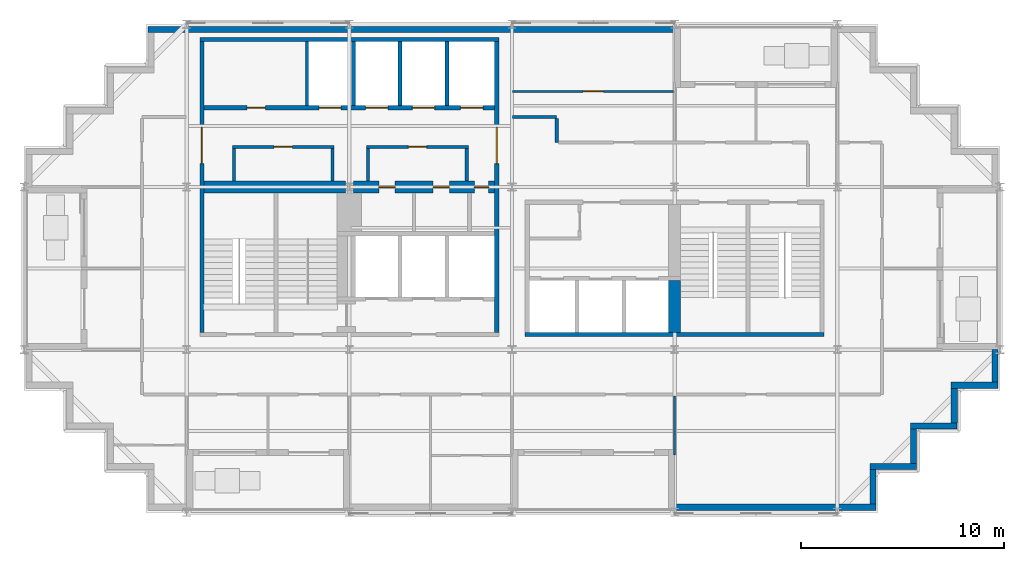
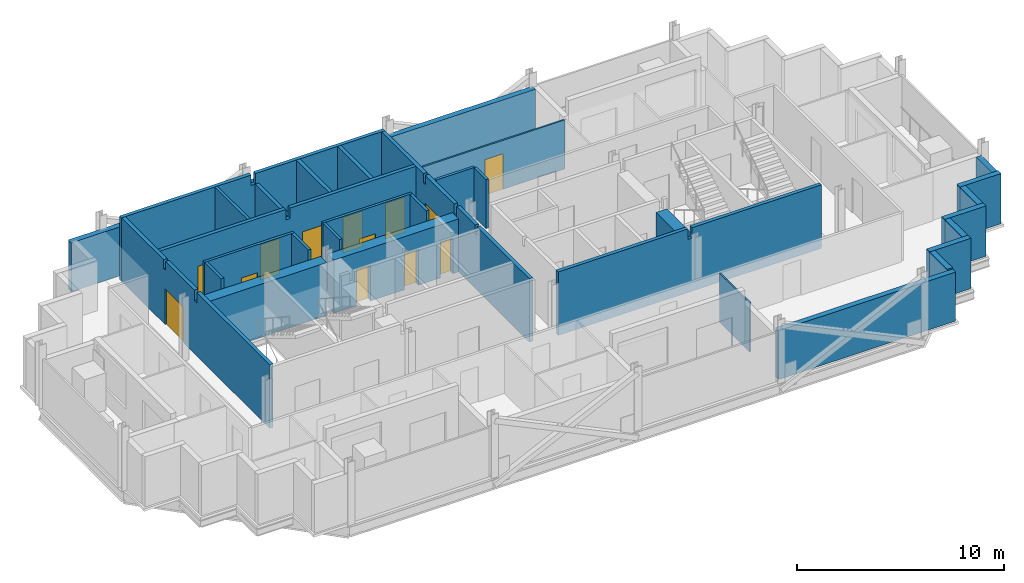
# One storey, part 6 of 10: 31 walls, 13 doors, 13 openings.
"""IFC4 building model written with IfcOpenShell, lengths in metres."""

from ifc_helpers import new_model, si_unit, direction, frame, frame_2d, origin, place, context, subcontext, project, spatial, polyline, rectangle, outline, extrude, material, layer, layer_set, type_object, element, fill, save


model = new_model("IFC4")

# Units and contexts
model_context = context("Model", 3, precision=1e-05, world=origin(), true_north=direction((0.0, 1.0)))
body_context = subcontext(model_context, "Body", "Model", "MODEL_VIEW")
ifc_project = project(units=[si_unit("LENGTHUNIT", "METRE"), si_unit("AREAUNIT", "SQUARE_METRE"), si_unit("VOLUMEUNIT", "CUBIC_METRE"), si_unit("PLANEANGLEUNIT", "RADIAN"), si_unit("MASSUNIT", "GRAM", prefix="KILO")], contexts=[model_context])

# Site, building, storey
site_placement = place(None, origin())
site = spatial("IfcSite", under=ifc_project, at=site_placement, CompositionType="ELEMENT")
building_placement = place(site_placement, origin())
building = spatial("IfcBuilding", under=site, at=building_placement, Name="Immortelle Media Tower", CompositionType="ELEMENT")
storey_placement = place(building_placement, frame((0.0, 0.0, 237.0)))
storey = spatial("IfcBuildingStorey", under=building, at=storey_placement, Name="L51", CompositionType="ELEMENT", Elevation=237.0)

# Wall, openings, doors
ifc_material_1 = material(Name="Fire-rated masonry blockwork", Category="masonry")
ifc_layer_1 = layer(ifc_material_1, 0.60009765625)
ifc_layer_set_1 = layer_set([ifc_layer_1], Name="Fire-rated masonry blockwork")
wall_type_1 = type_object("IfcWallType", Name="Core grid-line wall 600", PredefinedType="PARTITIONING", material=ifc_layer_set_1)
wall_1_placement = place(storey_placement, frame((16.196533203125, 16.0, 0.0), z_axis=(0.0, 0.0, 1.0), x_axis=(1.0, 0.0, 0.0)))
wall_1 = element("IfcWall", 1, at=wall_1_placement, inside=storey, type_object=wall_type_1, Name="Core grid-line wall SW", PredefinedType="PARTITIONING", context=body_context, shape_type="SweptSolid", body=[
    extrude(rectangle(XDim=6.953369140625, YDim=0.60009765625, at=frame_2d((3.4765625, 0.0))), origin(), (0.0, 0.0, 1.0), 3.132080078125),
])
opening_1_placement = place(wall_1_placement, frame((1.25341796875, 0.0, 0.0)))
opening_1 = element("IfcOpeningElement", 2, at=opening_1_placement, cuts=wall_1, Name="Opening O6-K010", PredefinedType="OPENING", context=body_context, shape_type="SweptSolid", body=[
    extrude(rectangle(XDim=0.800048828125, YDim=2.10009765625, at=frame_2d((0.39990234375, 1.050048828125))), frame((0.0, 0.31005859375, 0.0), z_axis=(0.0, -1.0, 0.0), x_axis=(1.0, 0.0, 0.0)), (0.0, 0.0, 1.0), 0.6201171875),
])
opening_2_placement = place(wall_1_placement, frame((3.928466796875, 0.0, 0.0)))
opening_2 = element("IfcOpeningElement", 3, at=opening_2_placement, cuts=wall_1, Name="Opening O6-K015", PredefinedType="OPENING", context=body_context, shape_type="SweptSolid", body=[
    extrude(rectangle(XDim=0.800048828125, YDim=2.10009765625, at=frame_2d((0.39990234375, 1.050048828125))), frame((0.0, 0.31005859375, 0.0), z_axis=(0.0, -1.0, 0.0), x_axis=(1.0, 0.0, 0.0)), (0.0, 0.0, 1.0), 0.6201171875),
])
opening_3_placement = place(wall_1_placement, frame((6.653564453125, 0.0, 0.0), z_axis=(0.0, 0.0, 1.0), x_axis=(-1.0, 0.0, 0.0)))
opening_3 = element("IfcOpeningElement", 4, at=opening_3_placement, cuts=wall_1, Name="Opening O6-K018", PredefinedType="OPENING", context=body_context, shape_type="SweptSolid", body=[
    extrude(rectangle(XDim=0.699951171875, YDim=2.10009765625, at=frame_2d((0.35009765625, 1.050048828125))), frame((0.0, 0.31005859375, 0.0), z_axis=(0.0, -1.0, 0.0), x_axis=(1.0, 0.0, 0.0)), (0.0, 0.0, 1.0), 0.6201171875),
])
ifc_material_2 = material(Name="Galvanised steel door leaf and frame ASTM A653", Category="steel")
door_type_1 = type_object("IfcDoorType", Name="Service door 700 x 2100", OperationType="NOTDEFINED", PredefinedType="NOTDEFINED", material=ifc_material_2)
door_1_placement = place(opening_3_placement, origin())
door_1 = element("IfcDoor", 5, at=door_1_placement, inside=storey, type_object=door_type_1, Name="Service O6-K018", OperationType="SINGLE_SWING_RIGHT", OverallHeight=2.10009765625, OverallWidth=0.699951171875, PredefinedType="NOTDEFINED", context=body_context, shape_type="SweptSolid", body=[
    extrude(rectangle(XDim=0.699951171875, YDim=2.10009765625, at=frame_2d((0.35009765625, 1.050048828125))), frame((0.0, 0.02490234375, 0.0), z_axis=(0.0, -1.0, 0.0), x_axis=(1.0, 0.0, 0.0)), (0.0, 0.0, 1.0), 0.050048828125),
])
fill(opening_3, door_1)
ifc_material_3 = material(Name="Timber", Category="wood")
door_type_2 = type_object("IfcDoorType", Name="Toilet door 800 x 2100", OperationType="NOTDEFINED", PredefinedType="NOTDEFINED", material=ifc_material_3)
door_2_placement = place(opening_1_placement, origin())
door_2 = element("IfcDoor", 6, at=door_2_placement, inside=storey, type_object=door_type_2, Name="Toilet O6-K010", OperationType="SINGLE_SWING_LEFT", OverallHeight=2.10009765625, OverallWidth=0.800048828125, PredefinedType="NOTDEFINED", context=body_context, shape_type="SweptSolid", body=[
    extrude(rectangle(XDim=0.800048828125, YDim=2.10009765625, at=frame_2d((0.39990234375, 1.050048828125))), frame((0.0, 0.02490234375, 0.0), z_axis=(0.0, -1.0, 0.0), x_axis=(1.0, 0.0, 0.0)), (0.0, 0.0, 1.0), 0.050048828125),
])
fill(opening_1, door_2)
door_3_placement = place(opening_2_placement, origin())
door_3 = element("IfcDoor", 7, at=door_3_placement, inside=storey, type_object=door_type_2, Name="Toilet O6-K015", OperationType="SINGLE_SWING_RIGHT", OverallHeight=2.10009765625, OverallWidth=0.800048828125, PredefinedType="NOTDEFINED", context=body_context, shape_type="SweptSolid", body=[
    extrude(rectangle(XDim=0.800048828125, YDim=2.10009765625, at=frame_2d((0.39990234375, 1.050048828125))), frame((0.0, 0.02490234375, 0.0), z_axis=(0.0, -1.0, 0.0), x_axis=(1.0, 0.0, 0.0)), (0.0, 0.0, 1.0), 0.050048828125),
])
fill(opening_2, door_3)

# Wall
ifc_material_4 = material(Name="Fire-rated gypsum board", Category="gypsum")
ifc_layer_2 = layer(ifc_material_4, 0.02490234375)
ifc_material_5 = material(Name="Steel ASTM A653 SS Gr 50 stud frame with mineral wool", Category="steel")
ifc_layer_3 = layer(ifc_material_5, 0.10009765625)
ifc_layer_4 = layer(ifc_material_4, 0.02490234375)
ifc_layer_set_2 = layer_set([ifc_layer_2, ifc_layer_3, ifc_layer_4], Name="Steel ASTM A653 SS Gr 50 stud frame with mineral wool")
wall_type_2 = type_object("IfcWallType", Name="Core partition 150", PredefinedType="PARTITIONING", material=ifc_layer_set_2)
wall_2_placement = place(storey_placement, frame((10.324951171875, 16.300048828125, 0.0), z_axis=(0.0, 0.0, 1.0), x_axis=(0.0, 1.0, 0.0)))
element("IfcWall", 8, at=wall_2_placement, inside=storey, type_object=wall_type_2, Name="Core partition SW", PredefinedType="PARTITIONING", context=body_context, shape_type="SweptSolid", body=[
    extrude(rectangle(XDim=1.599853515625, YDim=0.14990234375, at=frame_2d((0.7998046875, 0.0))), origin(), (0.0, 0.0, 1.0), 3.75),
])

# Wall, opening, door
wall_3_placement = place(storey_placement, frame((10.25, 17.97509765625, 0.0), z_axis=(0.0, 0.0, 1.0), x_axis=(1.0, 0.0, 0.0)))
wall_3 = element("IfcWall", 9, at=wall_3_placement, inside=storey, type_object=wall_type_2, Name="Core partition SW", PredefinedType="PARTITIONING", context=body_context, shape_type="SweptSolid", body=[
    extrude(rectangle(XDim=5.0, YDim=0.14990234375, at=frame_2d((2.5, 0.0))), origin(), (0.0, 0.0, 1.0), 3.75),
])
opening_4_placement = place(wall_3_placement, frame((2.949951171875, 0.0, 0.0), z_axis=(0.0, 0.0, 1.0), x_axis=(-1.0, 0.0, 0.0)))
opening_4 = element("IfcOpeningElement", 10, at=opening_4_placement, cuts=wall_3, Name="Opening O6-K004", PredefinedType="OPENING", context=body_context, shape_type="SweptSolid", body=[
    extrude(rectangle(XDim=0.89990234375, YDim=2.10009765625, at=frame_2d((0.449951171875, 1.050048828125))), frame((0.0, 0.0849609375, 0.0), z_axis=(0.0, -1.0, 0.0), x_axis=(1.0, 0.0, 0.0)), (0.0, 0.0, 1.0), 0.169921875),
])
door_type_3 = type_object("IfcDoorType", Name="Room door 900 x 2100", OperationType="NOTDEFINED", PredefinedType="NOTDEFINED", material=ifc_material_3)
door_4_placement = place(opening_4_placement, origin())
door_4 = element("IfcDoor", 11, at=door_4_placement, inside=storey, type_object=door_type_3, Name="Room O6-K004", OperationType="SINGLE_SWING_LEFT", OverallHeight=2.10009765625, OverallWidth=0.89990234375, PredefinedType="NOTDEFINED", context=body_context, shape_type="SweptSolid", body=[
    extrude(rectangle(XDim=0.89990234375, YDim=2.10009765625, at=frame_2d((0.449951171875, 1.050048828125))), frame((0.0, 0.02490234375, 0.0), z_axis=(0.0, -1.0, 0.0), x_axis=(1.0, 0.0, 0.0)), (0.0, 0.0, 1.0), 0.050048828125),
])
fill(opening_4, door_4)

# Walls
wall_4_placement = place(storey_placement, frame((13.925048828125, 20.0, 0.0), z_axis=(0.0, 0.0, 1.0), x_axis=(0.0, 1.0, 0.0)))
element("IfcWall", 12, at=wall_4_placement, inside=storey, type_object=wall_type_2, Name="Core partition SW", PredefinedType="PARTITIONING", context=body_context, shape_type="SweptSolid", body=[
    extrude(rectangle(XDim=3.14990234375, YDim=0.14990234375, at=frame_2d((1.574951171875, 0.0))), origin(), (0.0, 0.0, 1.0), 3.75),
])
for number, where, z_axis, x_axis, name in (
    (13, (15.175048828125, 16.300048828125, 0.0), (0.0, 0.0, 1.0), (0.0, 1.0, 0.0), "Core partition SW"),
    (14, (16.925048828125, 16.300048828125, 0.0), (0.0, 0.0, 1.0), (0.0, 1.0, 0.0), "Core partition SW"),
):
    element("IfcWall", number, at=place(storey_placement, frame(where, z_axis=z_axis, x_axis=x_axis)), inside=storey, type_object=wall_type_2, Name=name, PredefinedType="PARTITIONING", context=body_context, shape_type="SweptSolid", body=[
        extrude(rectangle(XDim=1.599853515625, YDim=0.14990234375, at=frame_2d((0.7998046875, 0.0))), origin(), (0.0, 0.0, 1.0), 3.75),
    ])

# Wall, opening, door
wall_5_placement = place(storey_placement, frame((16.85009765625, 17.97509765625, 0.0), z_axis=(0.0, 0.0, 1.0), x_axis=(1.0, 0.0, 0.0)))
wall_5 = element("IfcWall", 15, at=wall_5_placement, inside=storey, type_object=wall_type_2, Name="Core partition SW", PredefinedType="PARTITIONING", context=body_context, shape_type="SweptSolid", body=[
    extrude(rectangle(XDim=5.0, YDim=0.14990234375, at=frame_2d((2.5, 0.0))), origin(), (0.0, 0.0, 1.0), 3.75),
])
opening_5_placement = place(wall_5_placement, frame((2.949951171875, 0.0, 0.0), z_axis=(0.0, 0.0, 1.0), x_axis=(-1.0, 0.0, 0.0)))
opening_5 = element("IfcOpeningElement", 16, at=opening_5_placement, cuts=wall_5, Name="Opening O6-K011", PredefinedType="OPENING", context=body_context, shape_type="SweptSolid", body=[
    extrude(rectangle(XDim=0.89990234375, YDim=2.10009765625, at=frame_2d((0.449951171875, 1.050048828125))), frame((0.0, 0.0849609375, 0.0), z_axis=(0.0, -1.0, 0.0), x_axis=(1.0, 0.0, 0.0)), (0.0, 0.0, 1.0), 0.169921875),
])
door_5_placement = place(opening_5_placement, origin())
door_5 = element("IfcDoor", 17, at=door_5_placement, inside=storey, type_object=door_type_3, Name="Room O6-K011", OperationType="SINGLE_SWING_RIGHT", OverallHeight=2.10009765625, OverallWidth=0.89990234375, PredefinedType="NOTDEFINED", context=body_context, shape_type="SweptSolid", body=[
    extrude(rectangle(XDim=0.89990234375, YDim=2.10009765625, at=frame_2d((0.449951171875, 1.050048828125))), frame((0.0, 0.02490234375, 0.0), z_axis=(0.0, -1.0, 0.0), x_axis=(1.0, 0.0, 0.0)), (0.0, 0.0, 1.0), 0.050048828125),
])
fill(opening_5, door_5)

# Walls
wall_6_placement = place(storey_placement, frame((21.77490234375, 16.300048828125, 0.0), z_axis=(0.0, 0.0, 1.0), x_axis=(0.0, 1.0, 0.0)))
element("IfcWall", 18, at=wall_6_placement, inside=storey, type_object=wall_type_2, Name="Core partition SW", PredefinedType="PARTITIONING", context=body_context, shape_type="SweptSolid", body=[
    extrude(rectangle(XDim=1.599853515625, YDim=0.14990234375, at=frame_2d((0.7998046875, 0.0))), origin(), (0.0, 0.0, 1.0), 3.75),
])
ifc_layer_5 = layer(ifc_material_4, 0.03759765625)
ifc_layer_6 = layer(ifc_material_5, 0.125)
ifc_layer_7 = layer(ifc_material_4, 0.03759765625)
ifc_layer_set_3 = layer_set([ifc_layer_5, ifc_layer_6, ifc_layer_7], Name="Steel ASTM A653 SS Gr 50 stud frame with mineral wool")
wall_type_3 = type_object("IfcWallType", Name="Core shaft wall 200", PredefinedType="PARTITIONING", material=ifc_layer_set_3)
wall_7_placement = place(storey_placement, frame((8.64990234375, 23.25, 0.0), z_axis=(0.0, 0.0, 1.0), x_axis=(1.0, 0.0, 0.0)))
element("IfcWall", 19, at=wall_7_placement, inside=storey, type_object=wall_type_3, Name="Core shaft wall SW", PredefinedType="PARTITIONING", context=body_context, shape_type="SweptSolid", body=[
    extrude(outline(polyline([(0.0, 0.0), (14.7001953125, 0.0), (14.699951171875, 3.75), (7.469482421875, 3.75), (7.468505859375, 3.132080078125), (7.2314453125, 3.132080078125), (7.23046875, 3.75), (0.0, 3.75), (0.0, 0.0)])), frame((0.0, 0.10009765625, 0.0), z_axis=(0.0, -1.0, 0.0), x_axis=(1.0, 0.0, 0.0)), (0.0, 0.0, 1.0), 0.199951171875),
])

# Wall, openings, doors
wall_8_placement = place(storey_placement, frame((8.85009765625, 19.89990234375, 0.0), z_axis=(0.0, 0.0, 1.0), x_axis=(1.0, 0.0, 0.0)))
wall_8 = element("IfcWall", 20, at=wall_8_placement, inside=storey, type_object=wall_type_3, Name="Core shaft wall SW", PredefinedType="PARTITIONING", context=body_context, shape_type="SweptSolid", body=[
    extrude(outline(polyline([(0.0, 0.0), (14.2998046875, 0.0), (14.300048828125, 3.75), (7.26953125, 3.75), (7.2685546875, 3.132080078125), (7.031494140625, 3.132080078125), (7.030517578125, 3.75), (0.0, 3.75), (0.0, 0.0)])), frame((0.0, 0.10009765625, 0.0), z_axis=(0.0, -1.0, 0.0), x_axis=(1.0, 0.0, 0.0)), (0.0, 0.0, 1.0), 0.199951171875),
])
opening_6_placement = place(wall_8_placement, frame((2.125, 0.0, 0.0)))
opening_6 = element("IfcOpeningElement", 21, at=opening_6_placement, cuts=wall_8, Name="Opening O6-K003", PredefinedType="OPENING", context=body_context, shape_type="SweptSolid", body=[
    extrude(rectangle(XDim=0.89990234375, YDim=2.10009765625, at=frame_2d((0.449951171875, 1.050048828125))), frame((0.0, 0.10986328125, 0.0), z_axis=(0.0, -1.0, 0.0), x_axis=(1.0, 0.0, 0.0)), (0.0, 0.0, 1.0), 0.219970703125),
])
opening_7_placement = place(wall_8_placement, frame((5.64990234375, 0.0, 0.0)))
opening_7 = element("IfcOpeningElement", 22, at=opening_7_placement, cuts=wall_8, Name="Opening LD", PredefinedType="OPENING", context=body_context, shape_type="SweptSolid", body=[
    extrude(rectangle(XDim=1.10009765625, YDim=2.10009765625, at=frame_2d((0.550048828125, 1.050048828125))), frame((0.0, 0.10986328125, 0.0), z_axis=(0.0, -1.0, 0.0), x_axis=(1.0, 0.0, 0.0)), (0.0, 0.0, 1.0), 0.219970703125),
])
opening_8_placement = place(wall_8_placement, frame((7.949951171875, 0.0, 0.0)))
opening_8 = element("IfcOpeningElement", 23, at=opening_8_placement, cuts=wall_8, Name="Opening LD", PredefinedType="OPENING", context=body_context, shape_type="SweptSolid", body=[
    extrude(rectangle(XDim=1.10009765625, YDim=2.10009765625, at=frame_2d((0.550048828125, 1.050048828125))), frame((0.0, 0.10986328125, 0.0), z_axis=(0.0, -1.0, 0.0), x_axis=(1.0, 0.0, 0.0)), (0.0, 0.0, 1.0), 0.219970703125),
])
opening_9_placement = place(wall_8_placement, frame((10.25, 0.0, 0.0)))
opening_9 = element("IfcOpeningElement", 24, at=opening_9_placement, cuts=wall_8, Name="Opening LD", PredefinedType="OPENING", context=body_context, shape_type="SweptSolid", body=[
    extrude(rectangle(XDim=1.10009765625, YDim=2.10009765625, at=frame_2d((0.550048828125, 1.050048828125))), frame((0.0, 0.10986328125, 0.0), z_axis=(0.0, -1.0, 0.0), x_axis=(1.0, 0.0, 0.0)), (0.0, 0.0, 1.0), 0.219970703125),
])
opening_10_placement = place(wall_8_placement, frame((12.625, 0.0, 0.0)))
opening_10 = element("IfcOpeningElement", 25, at=opening_10_placement, cuts=wall_8, Name="Opening LD", PredefinedType="OPENING", context=body_context, shape_type="SweptSolid", body=[
    extrude(rectangle(XDim=1.10009765625, YDim=2.10009765625, at=frame_2d((0.550048828125, 1.050048828125))), frame((0.0, 0.10986328125, 0.0), z_axis=(0.0, -1.0, 0.0), x_axis=(1.0, 0.0, 0.0)), (0.0, 0.0, 1.0), 0.219970703125),
])
ifc_material_6 = material(Name="Stainless steel AISI 304", Category="steel")
door_type_4 = type_object("IfcDoorType", Name="Landing door 1100 x 2100", OperationType="SLIDING_TO_LEFT", PredefinedType="NOTDEFINED", material=ifc_material_6)
door_6_placement = place(opening_7_placement, origin())
door_6 = element("IfcDoor", 26, at=door_6_placement, inside=storey, type_object=door_type_4, Name="Landing door HR1 L51", OperationType="SLIDING_TO_LEFT", OverallHeight=2.10009765625, OverallWidth=1.10009765625, PredefinedType="NOTDEFINED", context=body_context, shape_type="SweptSolid", body=[
    extrude(rectangle(XDim=1.10009765625, YDim=2.10009765625, at=frame_2d((0.550048828125, 1.050048828125))), frame((0.0, 0.02490234375, 0.0), z_axis=(0.0, -1.0, 0.0), x_axis=(1.0, 0.0, 0.0)), (0.0, 0.0, 1.0), 0.050048828125),
])
fill(opening_7, door_6)
door_7_placement = place(opening_8_placement, origin())
door_7 = element("IfcDoor", 27, at=door_7_placement, inside=storey, type_object=door_type_4, Name="Landing door HR2 L51", OperationType="SLIDING_TO_LEFT", OverallHeight=2.10009765625, OverallWidth=1.10009765625, PredefinedType="NOTDEFINED", context=body_context, shape_type="SweptSolid", body=[
    extrude(rectangle(XDim=1.10009765625, YDim=2.10009765625, at=frame_2d((0.550048828125, 1.050048828125))), frame((0.0, 0.02490234375, 0.0), z_axis=(0.0, -1.0, 0.0), x_axis=(1.0, 0.0, 0.0)), (0.0, 0.0, 1.0), 0.050048828125),
])
fill(opening_8, door_7)
door_8_placement = place(opening_9_placement, origin())
door_8 = element("IfcDoor", 28, at=door_8_placement, inside=storey, type_object=door_type_4, Name="Landing door HR3 L51", OperationType="SLIDING_TO_LEFT", OverallHeight=2.10009765625, OverallWidth=1.10009765625, PredefinedType="NOTDEFINED", context=body_context, shape_type="SweptSolid", body=[
    extrude(rectangle(XDim=1.10009765625, YDim=2.10009765625, at=frame_2d((0.550048828125, 1.050048828125))), frame((0.0, 0.02490234375, 0.0), z_axis=(0.0, -1.0, 0.0), x_axis=(1.0, 0.0, 0.0)), (0.0, 0.0, 1.0), 0.050048828125),
])
fill(opening_9, door_8)
door_9_placement = place(opening_10_placement, origin())
door_9 = element("IfcDoor", 29, at=door_9_placement, inside=storey, type_object=door_type_4, Name="Landing door HR4 L51", OperationType="SLIDING_TO_LEFT", OverallHeight=2.10009765625, OverallWidth=1.10009765625, PredefinedType="NOTDEFINED", context=body_context, shape_type="SweptSolid", body=[
    extrude(rectangle(XDim=1.10009765625, YDim=2.10009765625, at=frame_2d((0.550048828125, 1.050048828125))), frame((0.0, 0.02490234375, 0.0), z_axis=(0.0, -1.0, 0.0), x_axis=(1.0, 0.0, 0.0)), (0.0, 0.0, 1.0), 0.050048828125),
])
fill(opening_10, door_9)
door_10_placement = place(opening_6_placement, origin())
door_10 = element("IfcDoor", 30, at=door_10_placement, inside=storey, type_object=door_type_3, Name="Room O6-K003", OperationType="SINGLE_SWING_LEFT", OverallHeight=2.10009765625, OverallWidth=0.89990234375, PredefinedType="NOTDEFINED", context=body_context, shape_type="SweptSolid", body=[
    extrude(rectangle(XDim=0.89990234375, YDim=2.10009765625, at=frame_2d((0.449951171875, 1.050048828125))), frame((0.0, 0.02490234375, 0.0), z_axis=(0.0, -1.0, 0.0), x_axis=(1.0, 0.0, 0.0)), (0.0, 0.0, 1.0), 0.050048828125),
])
fill(opening_6, door_10)

# Walls
wall_9_placement = place(storey_placement, frame((16.199951171875, 20.0, 0.0), z_axis=(0.0, 0.0, 1.0), x_axis=(0.0, 1.0, 0.0)))
element("IfcWall", 31, at=wall_9_placement, inside=storey, type_object=wall_type_3, Name="Core shaft wall SW", PredefinedType="PARTITIONING", context=body_context, shape_type="SweptSolid", body=[
    extrude(rectangle(XDim=3.14990234375, YDim=0.199951171875, at=frame_2d((1.574951171875, 0.0))), origin(), (0.0, 0.0, 1.0), 3.132080078125),
])
for number, where, z_axis, x_axis, name in (
    (32, (18.5, 20.0, 0.0), (0.0, 0.0, 1.0), (0.0, 1.0, 0.0), "Core shaft wall SW"),
    (33, (20.800048828125, 20.0, 0.0), (0.0, 0.0, 1.0), (0.0, 1.0, 0.0), "Core shaft wall SW"),
):
    element("IfcWall", number, at=place(storey_placement, frame(where, z_axis=z_axis, x_axis=x_axis)), inside=storey, type_object=wall_type_3, Name=name, PredefinedType="PARTITIONING", context=body_context, shape_type="SweptSolid", body=[
        extrude(rectangle(XDim=3.14990234375, YDim=0.199951171875, at=frame_2d((1.574951171875, 0.0))), origin(), (0.0, 0.0, 1.0), 3.75),
    ])

# Wall, opening, door
wall_10_placement = place(storey_placement, frame((23.25, 8.85009765625, 0.0), z_axis=(0.0, 0.0, 1.0), x_axis=(0.0, 1.0, 0.0)))
wall_10 = element("IfcWall", 34, at=wall_10_placement, inside=storey, type_object=wall_type_3, Name="Core shaft wall SW", PredefinedType="PARTITIONING", context=body_context, shape_type="SweptSolid", body=[
    extrude(outline(polyline([(0.0, 0.0), (14.2998046875, 0.0), (14.300048828125, 3.75), (10.237548828125, 3.75), (10.236572265625, 3.218017578125), (10.0634765625, 3.218017578125), (10.0625, 3.75), (7.26953125, 3.75), (7.2685546875, 3.132080078125), (7.031494140625, 3.132080078125), (7.030517578125, 3.75), (5.237548828125, 3.75), (5.236572265625, 3.218017578125), (5.0634765625, 3.218017578125), (5.0625, 3.75), (0.0, 3.75), (0.0, 0.0)])), frame((0.0, 0.10009765625, 0.0), z_axis=(0.0, -1.0, 0.0), x_axis=(1.0, 0.0, 0.0)), (0.0, 0.0, 1.0), 0.199951171875),
])
opening_11_placement = place(wall_10_placement, frame((8.300048828125, 0.0, 0.0)))
opening_11 = element("IfcOpeningElement", 35, at=opening_11_placement, cuts=wall_10, Name="Opening O6-K019", PredefinedType="OPENING", context=body_context, shape_type="SweptSolid", body=[
    extrude(rectangle(XDim=1.800048828125, YDim=2.10009765625, at=frame_2d((0.89990234375, 1.050048828125))), frame((0.0, 0.10986328125, 0.0), z_axis=(0.0, -1.0, 0.0), x_axis=(1.0, 0.0, 0.0)), (0.0, 0.0, 1.0), 0.219970703125),
])
door_type_5 = type_object("IfcDoorType", Name="Lift lobby door 1800 x 2100", OperationType="DOUBLE_DOOR_SINGLE_SWING", PredefinedType="NOTDEFINED", material=ifc_material_2)
door_11_placement = place(opening_11_placement, origin())
door_11 = element("IfcDoor", 36, at=door_11_placement, inside=storey, type_object=door_type_5, Name="Lift lobby O6-K019", OperationType="DOUBLE_DOOR_SINGLE_SWING", OverallHeight=2.10009765625, OverallWidth=1.800048828125, PredefinedType="NOTDEFINED", context=body_context, shape_type="SweptSolid", body=[
    extrude(rectangle(XDim=1.800048828125, YDim=2.10009765625, at=frame_2d((0.89990234375, 1.050048828125))), frame((0.0, 0.02490234375, 0.0), z_axis=(0.0, -1.0, 0.0), x_axis=(1.0, 0.0, 0.0)), (0.0, 0.0, 1.0), 0.050048828125),
])
fill(opening_11, door_11)

# Walls
ifc_layer_8 = layer(ifc_material_4, 0.012451171875)
ifc_layer_9 = layer(ifc_material_5, 0.125)
ifc_layer_10 = layer(ifc_material_4, 0.012451171875)
ifc_layer_set_4 = layer_set([ifc_layer_8, ifc_layer_9, ifc_layer_10], Name="Steel ASTM A653 SS Gr 50 stud frame with mineral wool")
wall_type_4 = type_object("IfcWallType", Name="Corridor wall 150", PredefinedType="PARTITIONING", material=ifc_layer_set_4)
wall_11_placement = place(storey_placement, frame((26.199951171875, 18.199951171875, 0.0), z_axis=(0.0, 0.0, 1.0), x_axis=(0.0, 1.0, 0.0)))
element("IfcWall", 37, at=wall_11_placement, inside=storey, type_object=wall_type_4, Name="Partition L51-023", PredefinedType="PARTITIONING", context=body_context, shape_type="SweptSolid", body=[
    extrude(rectangle(XDim=1.175048828125, YDim=0.14990234375, at=frame_2d((0.58740234375, 0.0))), origin(), (0.0, 0.0, 1.0), 2.885009765625),
])
wall_12_placement = place(storey_placement, frame((24.030029296875, 19.449951171875, 0.0), z_axis=(0.0, 0.0, 1.0), x_axis=(1.0, 0.0, 0.0)))
element("IfcWall", 38, at=wall_12_placement, inside=storey, type_object=wall_type_4, Name="Partition L51-029", PredefinedType="PARTITIONING", context=body_context, shape_type="SweptSolid", body=[
    extrude(rectangle(XDim=2.169921875, YDim=0.14990234375, at=frame_2d((1.0849609375, 0.0))), origin(), (0.0, 0.0, 1.0), 2.885009765625),
])
ifc_material_7 = material(Name="Pale aluminium cladding panel", Category="aluminium")
ifc_layer_11 = layer(ifc_material_7, 0.030029296875)
ifc_layer_12 = layer(ifc_material_5, 0.257568359375)
ifc_material_8 = material(Name="Moisture-resistant gypsum board", Category="gypsum")
ifc_layer_13 = layer(ifc_material_8, 0.012451171875)
ifc_layer_set_5 = layer_set([ifc_layer_11, ifc_layer_12, ifc_layer_13], Name="Steel ASTM A653 SS Gr 50 stud frame with mineral wool")
wall_type_5 = type_object("IfcWallType", Name="Facade wall 300", PredefinedType="SOLIDWALL", material=ifc_layer_set_5)
wall_13_placement = place(storey_placement, frame((32.0, 0.25, 0.0), z_axis=(0.0, 0.0, 1.0), x_axis=(1.0, 0.0, 0.0)))
element("IfcWall", 39, at=wall_13_placement, inside=storey, type_object=wall_type_5, Name="Facade wall L51 S6", PredefinedType="SOLIDWALL", context=body_context, shape_type="SweptSolid", body=[
    extrude(rectangle(XDim=9.89990234375, YDim=0.300048828125, at=frame_2d((4.949951171875, 0.0))), origin(), (0.0, 0.0, 1.0), 2.889892578125),
])
wall_14_placement = place(storey_placement, frame((41.75, 0.39990234375, 0.0), z_axis=(0.0, 0.0, 1.0), x_axis=(0.0, 1.0, 0.0)))
element("IfcWall", 40, at=wall_14_placement, inside=storey, type_object=wall_type_5, Name="Facade wall L51 E7", PredefinedType="SOLIDWALL", context=body_context, shape_type="SweptSolid", body=[
    extrude(rectangle(XDim=1.7001953125, YDim=0.300048828125, at=frame_2d((0.85009765625, 0.0))), origin(), (0.0, 0.0, 1.0), 2.968994140625),
])
wall_15_placement = place(storey_placement, frame((41.60009765625, 2.25, 0.0), z_axis=(0.0, 0.0, 1.0), x_axis=(1.0, 0.0, 0.0)))
element("IfcWall", 41, at=wall_15_placement, inside=storey, type_object=wall_type_5, Name="Facade wall L51 S8", PredefinedType="SOLIDWALL", context=body_context, shape_type="SweptSolid", body=[
    extrude(rectangle(XDim=2.2998046875, YDim=0.300048828125, at=frame_2d((1.14990234375, 0.0))), origin(), (0.0, 0.0, 1.0), 2.968994140625),
])
wall_16_placement = place(storey_placement, frame((43.75, 2.39990234375, 0.0), z_axis=(0.0, 0.0, 1.0), x_axis=(0.0, 1.0, 0.0)))
element("IfcWall", 42, at=wall_16_placement, inside=storey, type_object=wall_type_5, Name="Facade wall L51 E9", PredefinedType="SOLIDWALL", context=body_context, shape_type="SweptSolid", body=[
    extrude(rectangle(XDim=1.7001953125, YDim=0.300048828125, at=frame_2d((0.85009765625, 0.0))), origin(), (0.0, 0.0, 1.0), 2.968994140625),
])
wall_17_placement = place(storey_placement, frame((43.60009765625, 4.25, 0.0), z_axis=(0.0, 0.0, 1.0), x_axis=(1.0, 0.0, 0.0)))
element("IfcWall", 43, at=wall_17_placement, inside=storey, type_object=wall_type_5, Name="Facade wall L51 S10", PredefinedType="SOLIDWALL", context=body_context, shape_type="SweptSolid", body=[
    extrude(rectangle(XDim=2.2998046875, YDim=0.300048828125, at=frame_2d((1.14990234375, 0.0))), origin(), (0.0, 0.0, 1.0), 2.968994140625),
])
wall_18_placement = place(storey_placement, frame((45.75, 4.39990234375, 0.0), z_axis=(0.0, 0.0, 1.0), x_axis=(0.0, 1.0, 0.0)))
element("IfcWall", 44, at=wall_18_placement, inside=storey, type_object=wall_type_5, Name="Facade wall L51 E11", PredefinedType="SOLIDWALL", context=body_context, shape_type="SweptSolid", body=[
    extrude(rectangle(XDim=1.7001953125, YDim=0.300048828125, at=frame_2d((0.85009765625, 0.0))), origin(), (0.0, 0.0, 1.0), 2.968994140625),
])
wall_19_placement = place(storey_placement, frame((45.60009765625, 6.25, 0.0), z_axis=(0.0, 0.0, 1.0), x_axis=(1.0, 0.0, 0.0)))
element("IfcWall", 45, at=wall_19_placement, inside=storey, type_object=wall_type_5, Name="Facade wall L51 S12", PredefinedType="SOLIDWALL", context=body_context, shape_type="SweptSolid", body=[
    extrude(rectangle(XDim=2.2998046875, YDim=0.300048828125, at=frame_2d((1.14990234375, 0.0))), origin(), (0.0, 0.0, 1.0), 2.968994140625),
])
wall_20_placement = place(storey_placement, frame((47.75, 6.39990234375, 0.0), z_axis=(0.0, 0.0, 1.0), x_axis=(0.0, 1.0, 0.0)))
element("IfcWall", 46, at=wall_20_placement, inside=storey, type_object=wall_type_5, Name="Facade wall L51 E13", PredefinedType="SOLIDWALL", context=body_context, shape_type="SweptSolid", body=[
    extrude(rectangle(XDim=1.60009765625, YDim=0.300048828125, at=frame_2d((0.800048828125, 0.0))), origin(), (0.0, 0.0, 1.0), 2.889892578125),
])
wall_21_placement = place(storey_placement, frame((32.0, 23.75, 0.0), z_axis=(0.0, 0.0, 1.0), x_axis=(-1.0, 0.0, 0.0)))
element("IfcWall", 47, at=wall_21_placement, inside=storey, type_object=wall_type_5, Name="Facade wall L51 N20", PredefinedType="SOLIDWALL", context=body_context, shape_type="SweptSolid", body=[
    extrude(rectangle(XDim=25.89990234375, YDim=0.300048828125, at=frame_2d((12.949951171875, 0.0))), origin(), (0.0, 0.0, 1.0), 2.889892578125),
])
ifc_material_9 = material(Name="Gypsum board", Category="gypsum")
ifc_layer_14 = layer(ifc_material_9, 0.012451171875)
ifc_layer_15 = layer(ifc_material_5, 0.074951171875)
ifc_layer_16 = layer(ifc_material_9, 0.012451171875)
ifc_layer_set_6 = layer_set([ifc_layer_14, ifc_layer_15, ifc_layer_16], Name="Steel ASTM A653 SS Gr 50 stud frame with mineral wool")
wall_type_6 = type_object("IfcWallType", Name="Partition 100", PredefinedType="PARTITIONING", material=ifc_layer_set_6)
wall_22_placement = place(storey_placement, frame((32.0, 2.830078125, 0.0), z_axis=(0.0, 0.0, 1.0), x_axis=(0.0, 1.0, 0.0)))
element("IfcWall", 48, at=wall_22_placement, inside=storey, type_object=wall_type_6, Name="Partition L51-008", PredefinedType="PARTITIONING", context=body_context, shape_type="SweptSolid", body=[
    extrude(rectangle(XDim=2.89501953125, YDim=0.10009765625, at=frame_2d((1.447509765625, 0.0))), origin(), (0.0, 0.0, 1.0), 2.885009765625),
])

# Wall, opening, door
wall_23_placement = place(storey_placement, frame((24.030029296875, 20.699951171875, 0.0), z_axis=(0.0, 0.0, 1.0), x_axis=(1.0, 0.0, 0.0)))
wall_23 = element("IfcWall", 49, at=wall_23_placement, inside=storey, type_object=wall_type_6, Name="Partition L51-030", PredefinedType="PARTITIONING", context=body_context, shape_type="SweptSolid", body=[
    extrude(rectangle(XDim=7.919921875, YDim=0.10009765625, at=frame_2d((3.9599609375, 0.0))), origin(), (0.0, 0.0, 1.0), 2.885009765625),
])
opening_12_placement = place(wall_23_placement, frame((4.469970703125, 0.0, 0.0), z_axis=(0.0, 0.0, 1.0), x_axis=(-1.0, 0.0, 0.0)))
opening_12 = element("IfcOpeningElement", 50, at=opening_12_placement, cuts=wall_23, Name="Opening O6-F019", PredefinedType="OPENING", context=body_context, shape_type="SweptSolid", body=[
    extrude(rectangle(XDim=1.0, YDim=2.10009765625, at=frame_2d((0.5, 1.050048828125))), frame((0.0, 0.06005859375, 0.0), z_axis=(0.0, -1.0, 0.0), x_axis=(1.0, 0.0, 0.0)), (0.0, 0.0, 1.0), 0.1201171875),
])
ifc_material_10 = material(Name="Timber veneered door leaf, galvanised steel frame ASTM A653", Category="steel")
door_type_6 = type_object("IfcDoorType", Name="Room door 1000 x 2100", OperationType="NOTDEFINED", PredefinedType="DOOR", material=ifc_material_10)
door_12_placement = place(opening_12_placement, origin())
door_12 = element("IfcDoor", 51, at=door_12_placement, inside=storey, type_object=door_type_6, Name="Door O6-F019", OperationType="SINGLE_SWING_LEFT", OverallHeight=2.10009765625, OverallWidth=1.0, PredefinedType="DOOR", context=body_context, shape_type="SweptSolid", body=[
    extrude(rectangle(XDim=1.0, YDim=2.10009765625, at=frame_2d((0.5, 1.050048828125))), frame((0.0, 0.02490234375, 0.0), z_axis=(0.0, -1.0, 0.0), x_axis=(1.0, 0.0, 0.0)), (0.0, 0.0, 1.0), 0.050048828125),
])
fill(opening_12, door_12)

ifc_material_11 = material(Name="Concrete C60", Category="concrete")
ifc_layer_17 = layer(ifc_material_11, 0.199951171875)
ifc_layer_set_7 = layer_set([ifc_layer_17], Name="Concrete C60")
wall_type_7 = type_object("IfcWallType", Name="Stair shaft wall 200", PredefinedType="PARTITIONING", material=ifc_layer_set_7)
wall_24_placement = place(storey_placement, frame((8.75, 8.85009765625, 0.0), z_axis=(0.0, 0.0, 1.0), x_axis=(0.0, 1.0, 0.0)))
wall_24 = element("IfcWall", 52, at=wall_24_placement, inside=storey, type_object=wall_type_7, Name="Stair shaft wall SW", PredefinedType="PARTITIONING", context=body_context, shape_type="SweptSolid", body=[
    extrude(outline(polyline([(0.0, 0.0), (14.2998046875, 0.0), (14.300048828125, 3.75), (10.237548828125, 3.75), (10.236572265625, 3.218017578125), (10.0634765625, 3.218017578125), (10.0625, 3.75), (7.26953125, 3.75), (7.2685546875, 3.132080078125), (7.031494140625, 3.132080078125), (7.030517578125, 3.75), (0.0, 3.75), (0.0, 0.0)])), frame((0.0, 0.10009765625, 0.0), z_axis=(0.0, -1.0, 0.0), x_axis=(1.0, 0.0, 0.0)), (0.0, 0.0, 1.0), 0.199951171875),
])
opening_13_placement = place(wall_24_placement, frame((8.300048828125, 0.0, 0.0)))
opening_13 = element("IfcOpeningElement", 53, at=opening_13_placement, cuts=wall_24, Name="Opening O6-K001", PredefinedType="OPENING", context=body_context, shape_type="SweptSolid", body=[
    extrude(rectangle(XDim=1.800048828125, YDim=2.10009765625, at=frame_2d((0.89990234375, 1.050048828125))), frame((0.0, 0.10986328125, 0.0), z_axis=(0.0, -1.0, 0.0), x_axis=(1.0, 0.0, 0.0)), (0.0, 0.0, 1.0), 0.219970703125),
])
door_13_placement = place(opening_13_placement, origin())
door_13 = element("IfcDoor", 54, at=door_13_placement, inside=storey, type_object=door_type_5, Name="Lift lobby O6-K001", OperationType="DOUBLE_DOOR_SINGLE_SWING", OverallHeight=2.10009765625, OverallWidth=1.800048828125, PredefinedType="NOTDEFINED", context=body_context, shape_type="SweptSolid", body=[
    extrude(rectangle(XDim=1.800048828125, YDim=2.10009765625, at=frame_2d((0.89990234375, 1.050048828125))), frame((0.0, 0.02490234375, 0.0), z_axis=(0.0, -1.0, 0.0), x_axis=(1.0, 0.0, 0.0)), (0.0, 0.0, 1.0), 0.050048828125),
])
fill(opening_13, door_13)

# Walls
wall_25_placement = place(storey_placement, frame((24.64990234375, 8.75, 0.0), z_axis=(0.0, 0.0, 1.0), x_axis=(1.0, 0.0, 0.0)))
element("IfcWall", 55, at=wall_25_placement, inside=storey, type_object=wall_type_7, Name="Stair shaft wall SE", PredefinedType="PARTITIONING", context=body_context, shape_type="SweptSolid", body=[
    extrude(outline(polyline([(0.0, 0.0), (14.7001953125, 0.0), (14.699951171875, 3.75), (7.469482421875, 3.75), (7.468505859375, 3.132080078125), (7.2314453125, 3.132080078125), (7.23046875, 3.75), (0.0, 3.75), (0.0, 0.0)])), frame((0.0, 0.10009765625, 0.0), z_axis=(0.0, -1.0, 0.0), x_axis=(1.0, 0.0, 0.0)), (0.0, 0.0, 1.0), 0.199951171875),
])
ifc_layer_18 = layer(ifc_material_11, 0.60009765625)
ifc_layer_set_8 = layer_set([ifc_layer_18], Name="Concrete C60")
wall_type_8 = type_object("IfcWallType", Name="Stair shaft wall 600", PredefinedType="PARTITIONING", material=ifc_layer_set_8)
wall_26_placement = place(storey_placement, frame((8.85009765625, 16.0, 0.0), z_axis=(0.0, 0.0, 1.0), x_axis=(1.0, 0.0, 0.0)))
element("IfcWall", 56, at=wall_26_placement, inside=storey, type_object=wall_type_8, Name="Stair shaft wall SW", PredefinedType="PARTITIONING", context=body_context, shape_type="SweptSolid", body=[
    extrude(rectangle(XDim=6.953369140625, YDim=0.60009765625, at=frame_2d((3.4765625, 0.0))), origin(), (0.0, 0.0, 1.0), 3.132080078125),
])
wall_27_placement = place(storey_placement, frame((32.0, 8.85009765625, 0.0), z_axis=(0.0, 0.0, 1.0), x_axis=(0.0, 1.0, 0.0)))
element("IfcWall", 57, at=wall_27_placement, inside=storey, type_object=wall_type_8, Name="Stair shaft wall SE", PredefinedType="PARTITIONING", context=body_context, shape_type="SweptSolid", body=[
    extrude(rectangle(XDim=2.5498046875, YDim=0.60009765625, at=frame_2d((1.27490234375, 0.0))), origin(), (0.0, 0.0, 1.0), 3.132080078125),
])

save(model, "model.ifc")
